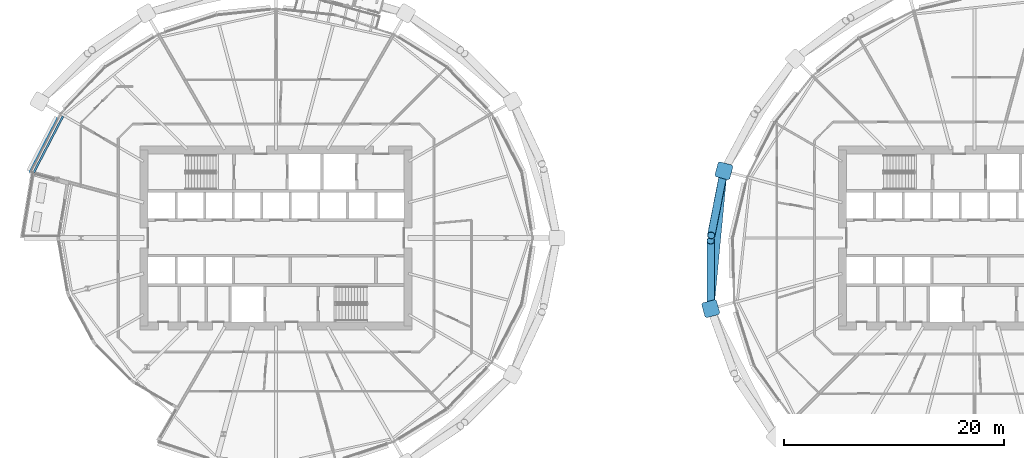
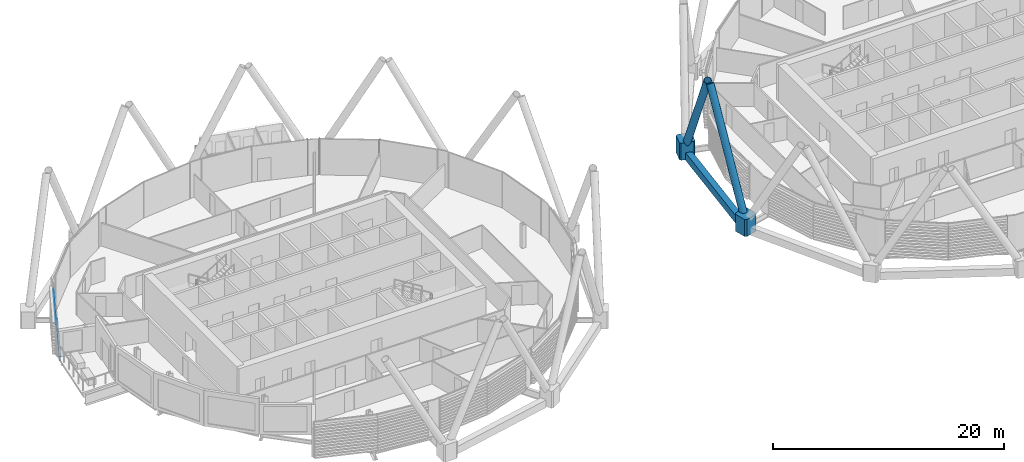
# One storey, part 10 of 38: 5 members, 2 beams, 1 element without a shape of its own.
"""IFC4 building model written with IfcOpenShell, lengths in metres."""

from ifc_helpers import new_model, si_unit, direction, frame, origin, origin_2d, place, context, subcontext, project, spatial, polyline, rectangle, hollow_rectangle, hollow_circle, i_section, outline, extrude, material, material_profile, profile_set, type_object, element, aggregate, save


model = new_model("IFC4")

# Units and contexts
model_context = context("Model", 3, precision=1e-05, world=origin(), true_north=direction((0.0, 1.0)))
body_context = subcontext(model_context, "Body", "Model", "MODEL_VIEW")
ifc_project = project(units=[si_unit("LENGTHUNIT", "METRE"), si_unit("AREAUNIT", "SQUARE_METRE"), si_unit("VOLUMEUNIT", "CUBIC_METRE"), si_unit("PLANEANGLEUNIT", "RADIAN"), si_unit("MASSUNIT", "GRAM", prefix="KILO")], contexts=[model_context])

# Site, building, storey
site_placement = place(None, origin())
site = spatial("IfcSite", under=ifc_project, at=site_placement, CompositionType="ELEMENT")
building_placement = place(site_placement, origin())
building = spatial("IfcBuilding", under=site, at=building_placement, Name="Rimbun Link Towers", CompositionType="ELEMENT")
storey_placement = place(building_placement, frame((0.0, 0.0, 104.39990234375)))
storey = spatial("IfcBuildingStorey", under=building, at=storey_placement, Name="L25", CompositionType="ELEMENT", Elevation=104.39990234375)

# Curtain wall, member
ifc_material_1 = material(Name="Aluminium 6063-T6 and low-iron glass", Category="aluminium")
curtain_wall_type = type_object("IfcCurtainWallType", Name="CW1-Z2 unitised vision wall (zone 2)", PredefinedType="NOTDEFINED", material=ifc_material_1)
curtain_wall_placement = place(storey_placement, origin())
curtain_wall = element("IfcCurtainWall", 1, at=curtain_wall_placement, inside=storey, type_object=curtain_wall_type, Name="CW1 L25 T1", PredefinedType="NOTDEFINED")
ifc_material_2 = material(Name="Aluminium 6063-T6", Category="aluminium")
ifc_material_profile_1 = material_profile(ifc_material_2, rectangle(XDim=0.06005859375, YDim=0.1201171875, at=origin_2d()), Name="TRANSOM 60X120")
ifc_profile_set_1 = profile_set([ifc_material_profile_1], Name="Aluminium 6063-T6")
member_type_1 = type_object("IfcMemberType", Name="CW1 transom 60X120", PredefinedType="USERDEFINED", material=ifc_profile_set_1)
member_1_placement = place(storey_placement, frame((-54.087890625, 6.028564453125, 3.2001953125), z_axis=(0.459574641535, 0.888139149491, 0.0), x_axis=(-0.888139149491, 0.459574641535, 0.0)))
member_1 = element("IfcMember", 2, at=member_1_placement, type_object=member_type_1, Name="CW1 transom", ObjectType="TRANSOM", PredefinedType="USERDEFINED", context=body_context, shape_type="SweptSolid", body=[
    extrude(rectangle(XDim=0.06005859375, YDim=0.1201171875, at=origin_2d()), origin(), (0.0, 0.0, 1.0), 5.4716796875),
])
aggregate(curtain_wall, [member_1])

# Members
ifc_material_3 = material(Name="Steel S460NH", Category="steel")
ifc_material_profile_2 = material_profile(ifc_material_3, hollow_circle(Radius=0.355712890625, WallThickness=0.031982421875, at=origin_2d()), Name="Diagrid diagonal CHS 711x32")
ifc_profile_set_2 = profile_set([ifc_material_profile_2], Name="Steel S460NH")
member_type_2 = type_object("IfcMemberType", Name="Diagrid diagonal CHS 711x32", PredefinedType="BRACE", material=ifc_profile_set_2)
member_2_placement = place(storey_placement, frame((8.921630859375, 5.869384765625, 0.43896484375), z_axis=(-0.092243774803, -0.470037941025, 0.87781286161), x_axis=(0.981282409272, -0.192574227905, 0.0)))
element("IfcMember", 3, at=member_2_placement, inside=storey, type_object=member_type_2, Name="Diagrid diagonal T2 L25-L28 08b", PredefinedType="BRACE", context=body_context, shape_type="SweptSolid", body=[
    extrude(hollow_circle(Radius=0.355712890625, WallThickness=0.031982421875, at=origin_2d()), origin(), (0.0, 0.0, 1.0), 11.98681640625),
])
member_3_placement = place(storey_placement, frame((7.77001953125, -6.179931640625, 0.435791015625), z_axis=(-2.0200239e-05, 0.491007209953, 0.871155508142), x_axis=(-0.999999999154, -4.1140412e-05, 0.0)))
element("IfcMember", 4, at=member_3_placement, inside=storey, type_object=member_type_2, Name="Diagrid diagonal T2 L25-L28 10a", PredefinedType="BRACE", context=body_context, shape_type="SweptSolid", body=[
    extrude(hollow_circle(Radius=0.355712890625, WallThickness=0.031982421875, at=origin_2d()), origin(), (0.0, 0.0, 1.0), 12.0859375),
])
ifc_material_4 = material(Name="Cast steel G20Mn5+QT, Rp0.2 300 MPa", Category="steel")
ifc_material_profile_3 = material_profile(ifc_material_4, outline(polyline([(0.699951171875, -0.570068359375), (0.699951171875, 0.570068359375), (0.570068359375, 0.699951171875), (-0.570068359375, 0.699951171875), (-0.699951171875, 0.570068359375), (-0.699951171875, -0.570068359375), (-0.570068359375, -0.699951171875), (0.570068359375, -0.699951171875), (0.699951171875, -0.570068359375)])), Name="NODE 1400x1400")
ifc_profile_set_3 = profile_set([ifc_material_profile_3], Name="Cast steel G20Mn5+QT, Rp0.2 300 MPa")
member_type_3 = type_object("IfcMemberType", Name="Diagrid node cast 1400", PredefinedType="USERDEFINED", material=ifc_profile_set_3)
for number, where, z_axis, x_axis, name in (
    (5, (8.9677734375, 6.1044921875, -0.89990234375), (0.0, 0.0, 1.0), (-0.965925826289, 0.258819045103, 0.0), "Diagrid node L25 08"),
    (6, (7.77001953125, -6.42529296875, -0.89990234375), (0.0, 0.0, 1.0), (-0.965925826289, -0.258819045103, 0.0), "Diagrid node L25 10"),
):
    element("IfcMember", number, at=place(storey_placement, frame(where, z_axis=z_axis, x_axis=x_axis)), inside=storey, type_object=member_type_3, Name=name, ObjectType="Diagrid node", PredefinedType="USERDEFINED", context=body_context, shape_type="SweptSolid", body=[
        extrude(outline(polyline([(0.699951171875, -0.570068359375), (0.699951171875, 0.570068359375), (0.570068359375, 0.699951171875), (-0.570068359375, 0.699951171875), (-0.699951171875, 0.570068359375), (-0.699951171875, -0.570068359375), (-0.570068359375, -0.699951171875), (0.570068359375, -0.699951171875), (0.699951171875, -0.570068359375)])), origin(), (0.0, 0.0, 1.0), 1.800048828125),
    ])

# Beams
ifc_material_5 = material(Name="Steel S355J2", Category="steel")
ifc_material_profile_4 = material_profile(ifc_material_5, hollow_rectangle(XDim=0.60009765625, YDim=0.800048828125, WallThickness=0.0400390625, at=origin_2d()), Name="Exoskeleton ring girder BOX 600x800x40")
ifc_profile_set_4 = profile_set([ifc_material_profile_4], Name="Steel S355J2")
beam_type_1 = type_object("IfcBeamType", Name="Exoskeleton ring girder BOX 600x800x40", PredefinedType="BEAM", material=ifc_profile_set_4)
beam_1_placement = place(storey_placement, frame((8.901123046875, 5.40771484375, -0.559814453125), z_axis=(-0.095151006848, -0.995462850083, 0.0), x_axis=(0.995462850083, -0.095151006848, 0.0)))
element("IfcBeam", 7, at=beam_1_placement, inside=storey, type_object=beam_type_1, Name="Exoskeleton ring girder L25 04", PredefinedType="BEAM", context=body_context, shape_type="SweptSolid", body=[
    extrude(hollow_rectangle(XDim=0.60009765625, YDim=0.800048828125, WallThickness=0.0400390625, at=origin_2d()), origin(), (0.0, 0.0, 1.0), 11.18701171875),
])
ifc_material_6 = material(Name="Steel S355J2", Category="steel")
ifc_material_profile_5 = material_profile(ifc_material_6, i_section(OverallWidth=0.177978515625, OverallDepth=0.406494140625, WebThickness=0.0078125, FlangeThickness=0.0126953125, at=origin_2d()), Name="UB 406x178x60")
ifc_profile_set_5 = profile_set([ifc_material_profile_5], Name="Steel S355J2")
beam_type_2 = type_object("IfcBeamType", Name="UB 406x178x60", PredefinedType="BEAM", material=ifc_profile_set_5)
beam_2_placement = place(storey_placement, frame((-51.12890625, 11.061767578125, -0.363037109375), z_axis=(-0.460622374157, -0.887596207983, 0.0), x_axis=(0.887596207983, -0.460622374157, 0.0)))
element("IfcBeam", 8, at=beam_2_placement, inside=storey, type_object=beam_type_2, Name="Edge beam T1 L25 10", PredefinedType="BEAM", context=body_context, shape_type="SweptSolid", body=[
    extrude(i_section(OverallWidth=0.177978515625, OverallDepth=0.406494140625, WebThickness=0.0078125, FlangeThickness=0.0126953125, at=origin_2d()), origin(), (0.0, 0.0, 1.0), 5.7900390625),
])

save(model, "model.ifc")
